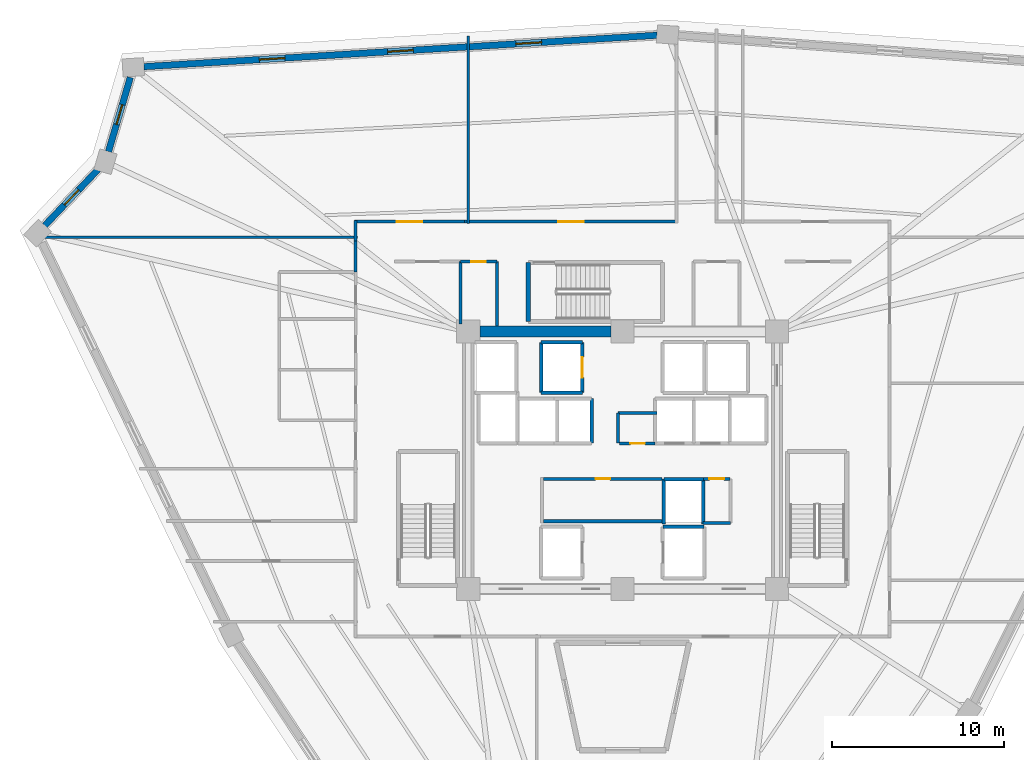
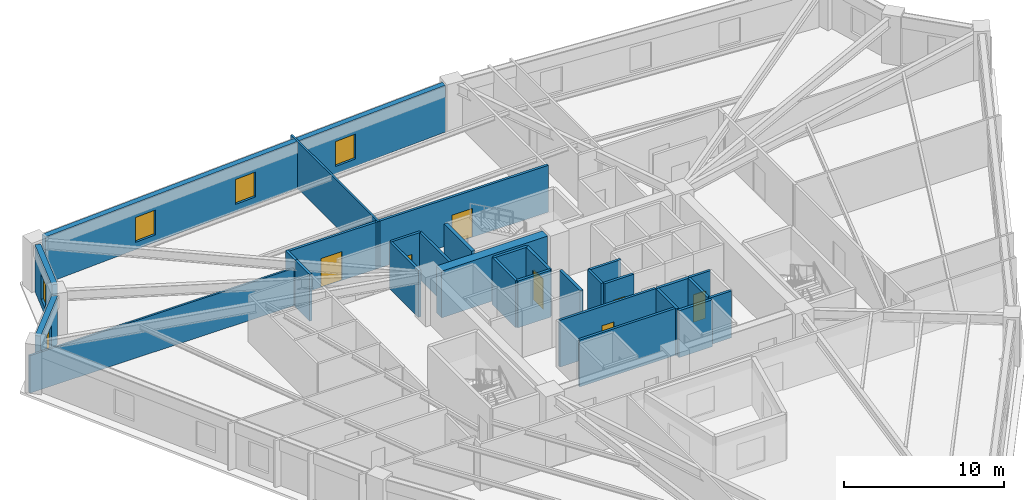
# One storey, part 5 of 10: 30 walls, 7 doors, 5 windows, 12 openings.
"""IFC4 building model written with IfcOpenShell, lengths in metres."""

from ifc_helpers import new_model, si_unit, direction, frame, frame_2d, origin, place, context, subcontext, project, spatial, rectangle, extrude, source, transform, mapped, material, layer, layer_set, type_object, element, fill, save


model = new_model("IFC4")

# Units and contexts
model_context = context("Model", 3, precision=1e-05, world=origin(), true_north=direction((0.0, 1.0)))
body_context = subcontext(model_context, "Body", "Model", "MODEL_VIEW")
ifc_project = project(units=[si_unit("LENGTHUNIT", "METRE"), si_unit("AREAUNIT", "SQUARE_METRE"), si_unit("VOLUMEUNIT", "CUBIC_METRE"), si_unit("PLANEANGLEUNIT", "RADIAN"), si_unit("MASSUNIT", "GRAM", prefix="KILO")], contexts=[model_context])

# Site, building, storey
site_placement = place(None, origin())
site = spatial("IfcSite", under=ifc_project, at=site_placement, CompositionType="ELEMENT")
building_placement = place(site_placement, origin())
building = spatial("IfcBuilding", under=site, at=building_placement, Name="Liaohun Quay Tower", CompositionType="ELEMENT")
storey_placement = place(building_placement, frame((0.0, 0.0, 194.25)))
storey = spatial("IfcBuildingStorey", under=building, at=storey_placement, Name="L50", CompositionType="ELEMENT", Elevation=194.25)

# Wall
ifc_material_1 = material(Name="Concrete C55", Category="concrete")
ifc_layer_1 = layer(ifc_material_1, 0.64990234375, Name="Concrete C55", Category="concrete")
ifc_layer_set_1 = layer_set([ifc_layer_1], Name="Concrete C55")
wall_type_1 = type_object("IfcWallType", Name="WAL-COR-Z3", PredefinedType="SHEAR", material=ifc_layer_set_1)
wall_1_placement = place(storey_placement, frame((51.675048828125, 61.5, 0.0), z_axis=(0.0, 0.0, 1.0), x_axis=(1.0, 0.0, 0.0)))
element("IfcWall", 1, at=wall_1_placement, inside=storey, type_object=wall_type_1, Name="L50 Central Core Shear Wall N-W", PredefinedType="SHEAR", context=body_context, shape_type="SweptSolid", body=[
    extrude(rectangle(XDim=7.64990234375, YDim=0.64990234375, at=frame_2d((3.824951171875, 0.0))), origin(), (0.0, 0.0, 1.0), 3.570068359375),
])

# Wall, openings, windows
ifc_material_2 = material(Name="Precast concrete C50 insulated sandwich", Category="concrete")
ifc_layer_2 = layer(ifc_material_2, 0.3798828125, Name="Precast concrete C50 insulated sandwich", Category="concrete")
ifc_layer_set_2 = layer_set([ifc_layer_2], Name="Precast concrete C50 insulated sandwich")
wall_type_2 = type_object("IfcWallType", Name="WAL-EXT-Z34", PredefinedType="SOLIDWALL", material=ifc_layer_set_2)
wall_2_placement = place(storey_placement, frame((62.006103515625, 78.77392578125, 0.0), z_axis=(0.0, 0.0, 1.0), x_axis=(-0.998134246816, -0.061057557539, 0.0)))
wall_2 = element("IfcWall", 2, at=wall_2_placement, inside=storey, type_object=wall_type_2, Name="L50 Brutalist Precast Pier Wall 07", PredefinedType="SOLIDWALL", context=body_context, shape_type="SweptSolid", body=[
    extrude(rectangle(XDim=29.968994140625, YDim=0.3798828125, at=frame_2d((14.984375, 0.0))), origin(), (0.0, 0.0, 1.0), 3.570068359375),
])
shared_shape_1 = source(origin(), body_context, "Body", "SweptSolid", [
    extrude(rectangle(XDim=1.5, YDim=1.89990234375, at=frame_2d((0.75, 0.949951171875))), frame((0.0, 0.199951171875, 0.0), z_axis=(0.0, -1.0, 0.0), x_axis=(1.0, 0.0, 0.0)), (0.0, 0.0, 1.0), 0.39990234375),
])
opening_1_placement = place(wall_2_placement, frame((6.741943359375, 0.0, 0.550048828125)))
opening_1 = element("IfcOpeningElement", 3, at=opening_1_placement, cuts=wall_2, Name="Opening W03", PredefinedType="OPENING", context=body_context, shape_type="MappedRepresentation", body=[
    mapped(shared_shape_1, transform((0.0, 0.0, 0.0), x_axis=(1.0, 0.0, 0.0), y_axis=(0.0, 1.0, 0.0), z_axis=(0.0, 0.0, 1.0), scale=1.0)),
])
opening_2_placement = place(wall_2_placement, frame((14.23388671875, 0.0, 0.550048828125)))
opening_2 = element("IfcOpeningElement", 4, at=opening_2_placement, cuts=wall_2, Name="Opening W03", PredefinedType="OPENING", context=body_context, shape_type="MappedRepresentation", body=[
    mapped(shared_shape_1, transform((0.0, 0.0, 0.0), x_axis=(1.0, 0.0, 0.0), y_axis=(0.0, 1.0, 0.0), z_axis=(0.0, 0.0, 1.0), scale=1.0)),
])
opening_3_placement = place(wall_2_placement, frame((21.72705078125, 0.0, 0.550048828125)))
opening_3 = element("IfcOpeningElement", 5, at=opening_3_placement, cuts=wall_2, Name="Opening W03", PredefinedType="OPENING", context=body_context, shape_type="MappedRepresentation", body=[
    mapped(shared_shape_1, transform((0.0, 0.0, 0.0), x_axis=(1.0, 0.0, 0.0), y_axis=(0.0, 1.0, 0.0), z_axis=(0.0, 0.0, 1.0), scale=1.0)),
])
ifc_material_3 = material(Name="Triple Low-E argon glazing in thermally broken aluminium", Category="aluminium")
window_type_1 = type_object("IfcWindowType", Name="WIN-PUN-Z3", PartitioningType="DOUBLE_PANEL_VERTICAL", PredefinedType="WINDOW", material=ifc_material_3)
shared_shape_2 = source(origin(), body_context, "Body", "SweptSolid", [
    extrude(rectangle(XDim=1.5, YDim=1.89990234375, at=frame_2d((0.75, 0.949951171875))), frame((0.0, 0.030029296875, 0.0), z_axis=(0.0, -1.0, 0.0), x_axis=(1.0, 0.0, 0.0)), (0.0, 0.0, 1.0), 0.06005859375),
])
window_1_placement = place(opening_1_placement, origin())
window_1 = element("IfcWindow", 6, at=window_1_placement, inside=storey, type_object=window_type_1, Name="L50 Recessed Cold-Climate Punched Window 07-1", OverallHeight=1.89990234375, OverallWidth=1.5, PartitioningType="DOUBLE_PANEL_VERTICAL", PredefinedType="WINDOW", context=body_context, shape_type="MappedRepresentation", body=[
    mapped(shared_shape_2, transform((0.0, 0.0, 0.0), x_axis=(1.0, 0.0, 0.0), y_axis=(0.0, 1.0, 0.0), z_axis=(0.0, 0.0, 1.0), scale=1.0)),
])
fill(opening_1, window_1)
window_2_placement = place(opening_2_placement, origin())
window_2 = element("IfcWindow", 7, at=window_2_placement, inside=storey, type_object=window_type_1, Name="L50 Recessed Cold-Climate Punched Window 07-2", OverallHeight=1.89990234375, OverallWidth=1.5, PartitioningType="DOUBLE_PANEL_VERTICAL", PredefinedType="WINDOW", context=body_context, shape_type="MappedRepresentation", body=[
    mapped(shared_shape_2, transform((0.0, 0.0, 0.0), x_axis=(1.0, 0.0, 0.0), y_axis=(0.0, 1.0, 0.0), z_axis=(0.0, 0.0, 1.0), scale=1.0)),
])
fill(opening_2, window_2)
window_3_placement = place(opening_3_placement, origin())
window_3 = element("IfcWindow", 8, at=window_3_placement, inside=storey, type_object=window_type_1, Name="L50 Recessed Cold-Climate Punched Window 07-3", OverallHeight=1.89990234375, OverallWidth=1.5, PartitioningType="DOUBLE_PANEL_VERTICAL", PredefinedType="WINDOW", context=body_context, shape_type="MappedRepresentation", body=[
    mapped(shared_shape_2, transform((0.0, 0.0, 0.0), x_axis=(1.0, 0.0, 0.0), y_axis=(0.0, 1.0, 0.0), z_axis=(0.0, 0.0, 1.0), scale=1.0)),
])
fill(opening_3, window_3)

# Wall, opening, window
wall_3_placement = place(storey_placement, frame((31.304931640625, 76.31591796875, 0.0), z_axis=(0.0, 0.0, 1.0), x_axis=(-0.282667804741, -0.959217864806, 0.0)))
wall_3 = element("IfcWall", 9, at=wall_3_placement, inside=storey, type_object=wall_type_2, Name="L50 Brutalist Precast Pier Wall 08", PredefinedType="SOLIDWALL", context=body_context, shape_type="SweptSolid", body=[
    extrude(rectangle(XDim=4.5068359375, YDim=0.3798828125, at=frame_2d((2.25341796875, 0.0))), origin(), (0.0, 0.0, 1.0), 3.570068359375),
])
shared_shape_3 = source(origin(), body_context, "Body", "SweptSolid", [
    extrude(rectangle(XDim=1.199951171875, YDim=1.89990234375, at=frame_2d((0.60009765625, 0.949951171875))), frame((0.0, 0.199951171875, 0.0), z_axis=(0.0, -1.0, 0.0), x_axis=(1.0, 0.0, 0.0)), (0.0, 0.0, 1.0), 0.39990234375),
])
opening_4_placement = place(wall_3_placement, frame((1.653076171875, 0.0, 0.550048828125)))
opening_4 = element("IfcOpeningElement", 10, at=opening_4_placement, cuts=wall_3, Name="Opening W05", PredefinedType="OPENING", context=body_context, shape_type="MappedRepresentation", body=[
    mapped(shared_shape_3, transform((0.0, 0.0, 0.0), x_axis=(1.0, 0.0, 0.0), y_axis=(0.0, 1.0, 0.0), z_axis=(0.0, 0.0, 1.0), scale=1.0)),
])
ifc_material_4 = material(Name="Triple Low-E corner notch glazing", Category="glass")
window_type_2 = type_object("IfcWindowType", Name="WIN-NOTCH", PartitioningType="SINGLE_PANEL", PredefinedType="WINDOW", material=ifc_material_4)
shared_shape_4 = source(origin(), body_context, "Body", "SweptSolid", [
    extrude(rectangle(XDim=1.199951171875, YDim=1.89990234375, at=frame_2d((0.60009765625, 0.949951171875))), frame((0.0, 0.030029296875, 0.0), z_axis=(0.0, -1.0, 0.0), x_axis=(1.0, 0.0, 0.0)), (0.0, 0.0, 1.0), 0.06005859375),
])
window_4_placement = place(opening_4_placement, origin())
window_4 = element("IfcWindow", 11, at=window_4_placement, inside=storey, type_object=window_type_2, Name="L50 Corner Notch Window W05-08", OverallHeight=1.89990234375, OverallWidth=1.199951171875, PartitioningType="SINGLE_PANEL", PredefinedType="WINDOW", context=body_context, shape_type="MappedRepresentation", body=[
    mapped(shared_shape_4, transform((0.0, 0.0, 0.0), x_axis=(1.0, 0.0, 0.0), y_axis=(0.0, 1.0, 0.0), z_axis=(0.0, 0.0, 1.0), scale=1.0)),
])
fill(opening_4, window_4)

wall_4_placement = place(storey_placement, frame((29.43310546875, 70.9580078125, 0.0), z_axis=(0.0, 0.0, 1.0), x_axis=(-0.689291978765, -0.724483656137, 0.0)))
wall_4 = element("IfcWall", 12, at=wall_4_placement, inside=storey, type_object=wall_type_2, Name="L50 Brutalist Precast Pier Wall 09", PredefinedType="SOLIDWALL", context=body_context, shape_type="SweptSolid", body=[
    extrude(rectangle(XDim=4.516357421875, YDim=0.3798828125, at=frame_2d((2.25830078125, 0.0))), origin(), (0.0, 0.0, 1.0), 3.570068359375),
])
opening_5_placement = place(wall_4_placement, frame((1.657958984375, 0.0, 0.550048828125)))
opening_5 = element("IfcOpeningElement", 13, at=opening_5_placement, cuts=wall_4, Name="Opening W05", PredefinedType="OPENING", context=body_context, shape_type="MappedRepresentation", body=[
    mapped(shared_shape_3, transform((0.0, 0.0, 0.0), x_axis=(1.0, 0.0, 0.0), y_axis=(0.0, 1.0, 0.0), z_axis=(0.0, 0.0, 1.0), scale=1.0)),
])
window_5_placement = place(opening_5_placement, origin())
window_5 = element("IfcWindow", 14, at=window_5_placement, inside=storey, type_object=window_type_2, Name="L50 Corner Notch Window W05-09", OverallHeight=1.89990234375, OverallWidth=1.199951171875, PartitioningType="SINGLE_PANEL", PredefinedType="WINDOW", context=body_context, shape_type="MappedRepresentation", body=[
    mapped(shared_shape_4, transform((0.0, 0.0, 0.0), x_axis=(1.0, 0.0, 0.0), y_axis=(0.0, 1.0, 0.0), z_axis=(0.0, 0.0, 1.0), scale=1.0)),
])
fill(opening_5, window_5)

# Wall, opening, door
ifc_material_5 = material(Name="Autoclaved aerated concrete blockwork", Category="masonry")
ifc_layer_3 = layer(ifc_material_5, 0.179931640625, Name="Autoclaved aerated concrete blockwork", Category="masonry")
ifc_layer_set_3 = layer_set([ifc_layer_3], Name="Autoclaved aerated concrete blockwork")
wall_type_3 = type_object("IfcWallType", Name="WAL-PRT-COR", PredefinedType="PARTITIONING", material=ifc_layer_set_3)
wall_5_placement = place(storey_placement, frame((55.389892578125, 52.919921875, 0.0), z_axis=(0.0, 0.0, 1.0), x_axis=(1.0, 0.0, 0.0)))
wall_5 = element("IfcWall", 15, at=wall_5_placement, inside=storey, type_object=wall_type_3, Name="L50 Interior Partition Wall 001", PredefinedType="PARTITIONING", context=body_context, shape_type="SweptSolid", body=[
    extrude(rectangle(XDim=6.91015625, YDim=0.179931640625, at=frame_2d((3.455078125, 0.0))), origin(), (0.0, 0.0, 1.0), 3.570068359375),
])
shared_shape_5 = source(origin(), body_context, "Body", "SweptSolid", [
    extrude(rectangle(XDim=0.85009765625, YDim=2.10009765625, at=frame_2d((0.425048828125, 1.050048828125))), frame((0.0, 0.099853515625, 0.0), z_axis=(0.0, -1.0, 0.0), x_axis=(1.0, 0.0, 0.0)), (0.0, 0.0, 1.0), 0.199951171875),
])
opening_6_placement = place(wall_5_placement, frame((3.034912109375, 0.0, 0.0)))
opening_6 = element("IfcOpeningElement", 16, at=opening_6_placement, cuts=wall_5, Name="Opening AD1", PredefinedType="OPENING", context=body_context, shape_type="MappedRepresentation", body=[
    mapped(shared_shape_5, transform((0.0, 0.0, 0.0), x_axis=(1.0, 0.0, 0.0), y_axis=(0.0, 1.0, 0.0), z_axis=(0.0, 0.0, 1.0), scale=1.0)),
])
ifc_material_6 = material(Name="Steel riser inspection fire door", Category="steel")
door_type_1 = type_object("IfcDoorType", Name="DOR-SHF-850", OperationType="NOTDEFINED", PredefinedType="DOOR", material=ifc_material_6)
shared_shape_6 = source(origin(), body_context, "Body", "SweptSolid", [
    extrude(rectangle(XDim=0.85009765625, YDim=2.10009765625, at=frame_2d((0.425048828125, 1.050048828125))), frame((0.0, 0.02490234375, 0.0), z_axis=(0.0, -1.0, 0.0), x_axis=(1.0, 0.0, 0.0)), (0.0, 0.0, 1.0), 0.050048828125),
])
door_1_placement = place(opening_6_placement, origin())
door_1 = element("IfcDoor", 17, at=door_1_placement, inside=storey, type_object=door_type_1, Name="L50 Core Tenant Storage and Archive Room Door", OperationType="SINGLE_SWING_LEFT", OverallHeight=2.10009765625, OverallWidth=0.85009765625, PredefinedType="DOOR", context=body_context, shape_type="MappedRepresentation", body=[
    mapped(shared_shape_6, transform((0.0, 0.0, 0.0), x_axis=(1.0, 0.0, 0.0), y_axis=(0.0, 1.0, 0.0), z_axis=(0.0, 0.0, 1.0), scale=1.0)),
])
fill(opening_6, door_1)

wall_6_placement = place(storey_placement, frame((59.81005859375, 54.97998046875, 0.0), z_axis=(0.0, 0.0, 1.0), x_axis=(1.0, 0.0, 0.0)))
wall_6 = element("IfcWall", 18, at=wall_6_placement, inside=storey, type_object=wall_type_3, Name="L50 Interior Partition Wall 002", PredefinedType="PARTITIONING", context=body_context, shape_type="SweptSolid", body=[
    extrude(rectangle(XDim=2.08984375, YDim=0.179931640625, at=frame_2d((1.044921875, 0.0))), origin(), (0.0, 0.0, 1.0), 3.570068359375),
])
opening_7_placement = place(wall_6_placement, frame((0.635009765625, 0.0, 0.0)))
opening_7 = element("IfcOpeningElement", 19, at=opening_7_placement, cuts=wall_6, Name="Opening AD1", PredefinedType="OPENING", context=body_context, shape_type="MappedRepresentation", body=[
    mapped(shared_shape_5, transform((0.0, 0.0, 0.0), x_axis=(1.0, 0.0, 0.0), y_axis=(0.0, 1.0, 0.0), z_axis=(0.0, 0.0, 1.0), scale=1.0)),
])
door_2_placement = place(opening_7_placement, origin())
door_2 = element("IfcDoor", 20, at=door_2_placement, inside=storey, type_object=door_type_1, Name="L50 Electrical Meter Room Door", OperationType="SINGLE_SWING_RIGHT", OverallHeight=2.10009765625, OverallWidth=0.85009765625, PredefinedType="DOOR", context=body_context, shape_type="MappedRepresentation", body=[
    mapped(shared_shape_6, transform((0.0, 0.0, 0.0), x_axis=(1.0, 0.0, 0.0), y_axis=(0.0, 1.0, 0.0), z_axis=(0.0, 0.0, 1.0), scale=1.0)),
])
fill(opening_7, door_2)

wall_7_placement = place(storey_placement, frame((64.719970703125, 52.919921875, 0.0), z_axis=(0.0, 0.0, 1.0), x_axis=(1.0, 0.0, 0.0)))
wall_7 = element("IfcWall", 21, at=wall_7_placement, inside=storey, type_object=wall_type_3, Name="L50 Interior Partition Wall 003", PredefinedType="PARTITIONING", context=body_context, shape_type="SweptSolid", body=[
    extrude(rectangle(XDim=1.530029296875, YDim=0.179931640625, at=frame_2d((0.76513671875, 0.0))), origin(), (0.0, 0.0, 1.0), 3.570068359375),
])
opening_8_placement = place(wall_7_placement, frame((0.340087890625, 0.0, 0.0)))
opening_8 = element("IfcOpeningElement", 22, at=opening_8_placement, cuts=wall_7, Name="Opening AD1", PredefinedType="OPENING", context=body_context, shape_type="MappedRepresentation", body=[
    mapped(shared_shape_5, transform((0.0, 0.0, 0.0), x_axis=(1.0, 0.0, 0.0), y_axis=(0.0, 1.0, 0.0), z_axis=(0.0, 0.0, 1.0), scale=1.0)),
])
door_3_placement = place(opening_8_placement, origin())
door_3 = element("IfcDoor", 23, at=door_3_placement, inside=storey, type_object=door_type_1, Name="L50 BMS Data Riser Room Door", OperationType="SINGLE_SWING_LEFT", OverallHeight=2.10009765625, OverallWidth=0.85009765625, PredefinedType="DOOR", context=body_context, shape_type="MappedRepresentation", body=[
    mapped(shared_shape_6, transform((0.0, 0.0, 0.0), x_axis=(1.0, 0.0, 0.0), y_axis=(0.0, 1.0, 0.0), z_axis=(0.0, 0.0, 1.0), scale=1.0)),
])
fill(opening_8, door_3)

wall_8_placement = place(storey_placement, frame((50.5400390625, 65.580078125, 0.0), z_axis=(0.0, 0.0, 1.0), x_axis=(1.0, 0.0, 0.0)))
wall_8 = element("IfcWall", 24, at=wall_8_placement, inside=storey, type_object=wall_type_3, Name="L50 Interior Partition Wall 007", PredefinedType="PARTITIONING", context=body_context, shape_type="SweptSolid", body=[
    extrude(rectangle(XDim=2.139892578125, YDim=0.179931640625, at=frame_2d((1.06982421875, 0.0))), origin(), (0.0, 0.0, 1.0), 3.570068359375),
])
opening_9_placement = place(wall_8_placement, frame((0.64501953125, 0.0, 0.0)))
opening_9 = element("IfcOpeningElement", 25, at=opening_9_placement, cuts=wall_8, Name="Opening AD1", PredefinedType="OPENING", context=body_context, shape_type="MappedRepresentation", body=[
    mapped(shared_shape_5, transform((0.0, 0.0, 0.0), x_axis=(1.0, 0.0, 0.0), y_axis=(0.0, 1.0, 0.0), z_axis=(0.0, 0.0, 1.0), scale=1.0)),
])
door_4_placement = place(opening_9_placement, origin())
door_4 = element("IfcDoor", 26, at=door_4_placement, inside=storey, type_object=door_type_1, Name="L50 North-West Supply Store Door", OperationType="SINGLE_SWING_LEFT", OverallHeight=2.10009765625, OverallWidth=0.85009765625, PredefinedType="DOOR", context=body_context, shape_type="MappedRepresentation", body=[
    mapped(shared_shape_6, transform((0.0, 0.0, 0.0), x_axis=(1.0, 0.0, 0.0), y_axis=(0.0, 1.0, 0.0), z_axis=(0.0, 0.0, 1.0), scale=1.0)),
])
fill(opening_9, door_4)

wall_9_placement = place(storey_placement, frame((50.784912109375, 67.909912109375, 0.0), z_axis=(0.0, 0.0, 1.0), x_axis=(1.0, 0.0, 0.0)))
wall_9 = element("IfcWall", 27, at=wall_9_placement, inside=storey, type_object=wall_type_3, Name="L50 Interior Partition Wall 014", PredefinedType="PARTITIONING", context=body_context, shape_type="SweptSolid", body=[
    extrude(rectangle(XDim=12.425048828125, YDim=0.179931640625, at=frame_2d((6.21240234375, 0.0))), origin(), (0.0, 0.0, 1.0), 3.570068359375),
])
shared_shape_7 = source(origin(), body_context, "Body", "SweptSolid", [
    extrude(rectangle(XDim=1.5, YDim=2.199951171875, at=frame_2d((0.75, 1.10009765625))), frame((0.0, 0.099853515625, 0.0), z_axis=(0.0, -1.0, 0.0), x_axis=(1.0, 0.0, 0.0)), (0.0, 0.0, 1.0), 0.199951171875),
])
opening_10_placement = place(wall_9_placement, frame((5.462890625, 0.0, 0.0)))
opening_10 = element("IfcOpeningElement", 28, at=opening_10_placement, cuts=wall_9, Name="Opening OD2", PredefinedType="OPENING", context=body_context, shape_type="MappedRepresentation", body=[
    mapped(shared_shape_7, transform((0.0, 0.0, 0.0), x_axis=(1.0, 0.0, 0.0), y_axis=(0.0, 1.0, 0.0), z_axis=(0.0, 0.0, 1.0), scale=1.0)),
])
ifc_material_7 = material(Name="Acoustic oak veneer double door")
door_type_2 = type_object("IfcDoorType", Name="DOR-OFF-1500", OperationType="DOUBLE_DOOR_SINGLE_SWING", PredefinedType="DOOR", material=ifc_material_7)
shared_shape_8 = source(origin(), body_context, "Body", "SweptSolid", [
    extrude(rectangle(XDim=1.5, YDim=2.199951171875, at=frame_2d((0.75, 1.10009765625))), frame((0.0, 0.02490234375, 0.0), z_axis=(0.0, -1.0, 0.0), x_axis=(1.0, 0.0, 0.0)), (0.0, 0.0, 1.0), 0.050048828125),
])
door_5_placement = place(opening_10_placement, origin())
door_5 = element("IfcDoor", 29, at=door_5_placement, inside=storey, type_object=door_type_2, Name="L50 Project Collaboration Studio 04 Door", OperationType="DOUBLE_DOOR_SINGLE_SWING", OverallHeight=2.199951171875, OverallWidth=1.5, PredefinedType="DOOR", context=body_context, shape_type="MappedRepresentation", body=[
    mapped(shared_shape_8, transform((0.0, 0.0, 0.0), x_axis=(1.0, 0.0, 0.0), y_axis=(0.0, 1.0, 0.0), z_axis=(0.0, 0.0, 1.0), scale=1.0)),
])
fill(opening_10, door_5)

wall_10_placement = place(storey_placement, frame((44.3701171875, 67.909912109375, 0.0), z_axis=(0.0, 0.0, 1.0), x_axis=(1.0, 0.0, 0.0)))
wall_10 = element("IfcWall", 30, at=wall_10_placement, inside=storey, type_object=wall_type_3, Name="L50 Interior Partition Wall 015", PredefinedType="PARTITIONING", context=body_context, shape_type="SweptSolid", body=[
    extrude(rectangle(XDim=6.414794921875, YDim=0.179931640625, at=frame_2d((3.20751953125, 0.0))), origin(), (0.0, 0.0, 1.0), 3.570068359375),
])
opening_11_placement = place(wall_10_placement, frame((2.45703125, 0.0, 0.0)))
opening_11 = element("IfcOpeningElement", 31, at=opening_11_placement, cuts=wall_10, Name="Opening OD2", PredefinedType="OPENING", context=body_context, shape_type="MappedRepresentation", body=[
    mapped(shared_shape_7, transform((0.0, 0.0, 0.0), x_axis=(1.0, 0.0, 0.0), y_axis=(0.0, 1.0, 0.0), z_axis=(0.0, 0.0, 1.0), scale=1.0)),
])
door_6_placement = place(opening_11_placement, origin())
door_6 = element("IfcDoor", 32, at=door_6_placement, inside=storey, type_object=door_type_2, Name="L50 Engineering Model Workshop 05 Door", OperationType="DOUBLE_DOOR_SINGLE_SWING", OverallHeight=2.199951171875, OverallWidth=1.5, PredefinedType="DOOR", context=body_context, shape_type="MappedRepresentation", body=[
    mapped(shared_shape_8, transform((0.0, 0.0, 0.0), x_axis=(1.0, 0.0, 0.0), y_axis=(0.0, 1.0, 0.0), z_axis=(0.0, 0.0, 1.0), scale=1.0)),
])
fill(opening_11, door_6)

# Walls
wall_11_placement = place(storey_placement, frame((59.719970703125, 55.02001953125, 0.0), z_axis=(0.0, 0.0, 1.0), x_axis=(0.0, 1.0, 0.0)))
element("IfcWall", 33, at=wall_11_placement, inside=storey, type_object=wall_type_3, Name="L50 Interior Partition Wall 023", PredefinedType="PARTITIONING", context=body_context, shape_type="SweptSolid", body=[
    extrude(rectangle(XDim=1.72998046875, YDim=0.179931640625, at=frame_2d((0.864990234375, 0.0))), origin(), (0.0, 0.0, 1.0), 3.570068359375),
])
wall_12_placement = place(storey_placement, frame((59.719970703125, 56.75, 0.0), z_axis=(0.0, 0.0, 1.0), x_axis=(1.0, 0.0, 0.0)))
element("IfcWall", 34, at=wall_12_placement, inside=storey, type_object=wall_type_3, Name="L50 Interior Partition Wall 024", PredefinedType="PARTITIONING", context=body_context, shape_type="SweptSolid", body=[
    extrude(rectangle(XDim=2.2900390625, YDim=0.179931640625, at=frame_2d((1.14501953125, 0.0))), origin(), (0.0, 0.0, 1.0), 3.570068359375),
])
wall_13_placement = place(storey_placement, frame((64.68994140625, 50.35009765625, 0.0), z_axis=(0.0, 0.0, 1.0), x_axis=(1.0, 0.0, 0.0)))
element("IfcWall", 35, at=wall_13_placement, inside=storey, type_object=wall_type_3, Name="L50 Interior Partition Wall 025", PredefinedType="PARTITIONING", context=body_context, shape_type="SweptSolid", body=[
    extrude(rectangle(XDim=1.590087890625, YDim=0.179931640625, at=frame_2d((0.794921875, 0.0))), origin(), (0.0, 0.0, 1.0), 3.570068359375),
])
wall_14_placement = place(storey_placement, frame((50.5400390625, 61.949951171875, 0.0), z_axis=(0.0, 0.0, 1.0), x_axis=(0.0, 1.0, 0.0)))
element("IfcWall", 36, at=wall_14_placement, inside=storey, type_object=wall_type_3, Name="L50 Interior Partition Wall 032", PredefinedType="PARTITIONING", context=body_context, shape_type="SweptSolid", body=[
    extrude(rectangle(XDim=3.630126953125, YDim=0.179931640625, at=frame_2d((1.81494140625, 0.0))), origin(), (0.0, 0.0, 1.0), 3.570068359375),
])
wall_15_placement = place(storey_placement, frame((52.679931640625, 61.824951171875, 0.0), z_axis=(0.0, 0.0, 1.0), x_axis=(0.0, 1.0, 0.0)))
element("IfcWall", 37, at=wall_15_placement, inside=storey, type_object=wall_type_3, Name="L50 Interior Partition Wall 033", PredefinedType="PARTITIONING", context=body_context, shape_type="SweptSolid", body=[
    extrude(rectangle(XDim=3.755126953125, YDim=0.179931640625, at=frame_2d((1.87744140625, 0.0))), origin(), (0.0, 0.0, 1.0), 3.570068359375),
])
wall_16_placement = place(storey_placement, frame((44.43994140625, 66.784912109375, 0.0), z_axis=(0.0, 0.0, 1.0), x_axis=(0.0, 1.0, 0.0)))
element("IfcWall", 38, at=wall_16_placement, inside=storey, type_object=wall_type_3, Name="L50 Interior Partition Wall 039", PredefinedType="PARTITIONING", context=body_context, shape_type="SweptSolid", body=[
    extrude(rectangle(XDim=1.195068359375, YDim=0.179931640625, at=frame_2d((0.59765625, 0.0))), origin(), (0.0, 0.0, 1.0), 3.570068359375),
])
wall_17_placement = place(storey_placement, frame((44.43994140625, 64.97998046875, 0.0), z_axis=(0.0, 0.0, 1.0), x_axis=(0.0, 1.0, 0.0)))
element("IfcWall", 39, at=wall_17_placement, inside=storey, type_object=wall_type_3, Name="L50 Interior Partition Wall 040", PredefinedType="PARTITIONING", context=body_context, shape_type="SweptSolid", body=[
    extrude(rectangle(XDim=1.804931640625, YDim=0.179931640625, at=frame_2d((0.90234375, 0.0))), origin(), (0.0, 0.0, 1.0), 3.570068359375),
])
wall_18_placement = place(storey_placement, frame((55.389892578125, 50.449951171875, 0.0), z_axis=(0.0, 0.0, 1.0), x_axis=(1.0, 0.0, 0.0)))
element("IfcWall", 40, at=wall_18_placement, inside=storey, type_object=wall_type_3, Name="L50 Interior Partition Wall 056", PredefinedType="PARTITIONING", context=body_context, shape_type="SweptSolid", body=[
    extrude(rectangle(XDim=6.91015625, YDim=0.179931640625, at=frame_2d((3.455078125, 0.0))), origin(), (0.0, 0.0, 1.0), 3.570068359375),
])
ifc_material_8 = material(Name="Gypsum board on twin steel studs", Category="steel")
ifc_layer_4 = layer(ifc_material_8, 0.139892578125, Name="Gypsum board on twin steel studs", Category="steel")
ifc_layer_set_4 = layer_set([ifc_layer_4], Name="Gypsum board on twin steel studs")
wall_type_4 = type_object("IfcWallType", Name="WAL-PRT-OFF", PredefinedType="PARTITIONING", material=ifc_layer_set_4)
wall_19_placement = place(storey_placement, frame((44.5400390625, 67.0, 0.0), z_axis=(0.0, 0.0, 1.0), x_axis=(-1.0, 0.0, 0.0)))
element("IfcWall", 41, at=wall_19_placement, inside=storey, type_object=wall_type_4, Name="L50 Interior Partition Wall 047", PredefinedType="PARTITIONING", context=body_context, shape_type="SweptSolid", body=[
    extrude(rectangle(XDim=19.22705078125, YDim=0.139892578125, at=frame_2d((9.613525390625, 0.0))), origin(), (0.0, 0.0, 1.0), 2.85498046875),
])
wall_20_placement = place(storey_placement, frame((51.0, 67.81005859375, 0.0), z_axis=(0.0, 0.0, 1.0), x_axis=(0.0, 1.0, 0.0)))
element("IfcWall", 42, at=wall_20_placement, inside=storey, type_object=wall_type_4, Name="L50 Interior Partition Wall 052", PredefinedType="PARTITIONING", context=body_context, shape_type="SweptSolid", body=[
    extrude(rectangle(XDim=10.921875, YDim=0.139892578125, at=frame_2d((5.4609375, 0.0))), origin(), (0.0, 0.0, 1.0), 3.570068359375),
])
ifc_material_9 = material(Name="Concrete C50", Category="concrete")
ifc_layer_5 = layer(ifc_material_9, 0.239990234375, Name="Concrete C50", Category="concrete")
ifc_layer_set_5 = layer_set([ifc_layer_5], Name="Concrete C50")
wall_type_5 = type_object("IfcWallType", Name="WAL-SHF-200", PredefinedType="SOLIDWALL", material=ifc_layer_set_5)
wall_21_placement = place(storey_placement, frame((54.5, 65.5400390625, 0.0), z_axis=(0.0, 0.0, 1.0), x_axis=(0.0, -1.0, 0.0)))
element("IfcWall", 43, at=wall_21_placement, inside=storey, type_object=wall_type_5, Name="L50 Stairwell ST-3 Structural Core Wall W", PredefinedType="SOLIDWALL", context=body_context, shape_type="SweptSolid", body=[
    extrude(rectangle(XDim=3.43994140625, YDim=0.239990234375, at=frame_2d((1.719970703125, 0.0))), origin(), (0.0, 0.0, 1.0), 3.570068359375),
])
for number, where, z_axis, x_axis, name in (
    (44, (64.75, 50.1201171875, 0.0), (0.0, 0.0, 1.0), (-1.0, 0.0, 0.0), "L50 Lift FF-02 Hoistway Wall N"),
    (45, (55.25, 57.949951171875, 0.0), (0.0, 0.0, 1.0), (1.0, 0.0, 0.0), "L50 Lift FF-03 Hoistway Wall S"),
):
    element("IfcWall", number, at=place(storey_placement, frame(where, z_axis=z_axis, x_axis=x_axis)), inside=storey, type_object=wall_type_5, Name=name, PredefinedType="SOLIDWALL", context=body_context, shape_type="SweptSolid", body=[
        extrude(rectangle(XDim=2.39990234375, YDim=0.199951171875, at=frame_2d((1.199951171875, 0.0))), origin(), (0.0, 0.0, 1.0), 3.570068359375),
    ])

# Wall, opening, door
wall_22_placement = place(storey_placement, frame((57.64990234375, 57.949951171875, 0.0), z_axis=(0.0, 0.0, 1.0), x_axis=(0.0, 1.0, 0.0)))
wall_22 = element("IfcWall", 46, at=wall_22_placement, inside=storey, type_object=wall_type_5, Name="L50 Lift FF-03 Hoistway Wall E", PredefinedType="SOLIDWALL", context=body_context, shape_type="SweptSolid", body=[
    extrude(rectangle(XDim=2.929931640625, YDim=0.199951171875, at=frame_2d((1.46484375, 0.0))), origin(), (0.0, 0.0, 1.0), 3.570068359375),
])
shared_shape_9 = source(origin(), body_context, "Body", "SweptSolid", [
    extrude(rectangle(XDim=1.199951171875, YDim=2.300048828125, at=frame_2d((0.60009765625, 1.14990234375))), frame((0.0, 0.10986328125, 0.0), z_axis=(0.0, -1.0, 0.0), x_axis=(1.0, 0.0, 0.0)), (0.0, 0.0, 1.0), 0.219970703125),
])
opening_12_placement = place(wall_22_placement, frame((0.864990234375, 0.0, 0.0)))
opening_12 = element("IfcOpeningElement", 47, at=opening_12_placement, cuts=wall_22, Name="Opening LD2", PredefinedType="OPENING", context=body_context, shape_type="MappedRepresentation", body=[
    mapped(shared_shape_9, transform((0.0, 0.0, 0.0), x_axis=(1.0, 0.0, 0.0), y_axis=(0.0, 1.0, 0.0), z_axis=(0.0, 0.0, 1.0), scale=1.0)),
])
ifc_material_10 = material(Name="Brushed stainless steel stretcher landing door", Category="steel")
door_type_3 = type_object("IfcDoorType", Name="DOR-LFT-1200", OperationType="SLIDING_TO_LEFT", PredefinedType="DOOR", material=ifc_material_10)
shared_shape_10 = source(origin(), body_context, "Body", "SweptSolid", [
    extrude(rectangle(XDim=1.199951171875, YDim=2.300048828125, at=frame_2d((0.60009765625, 1.14990234375))), frame((0.0, 0.02490234375, 0.0), z_axis=(0.0, -1.0, 0.0), x_axis=(1.0, 0.0, 0.0)), (0.0, 0.0, 1.0), 0.050048828125),
])
door_7_placement = place(opening_12_placement, origin())
door_7 = element("IfcDoor", 48, at=door_7_placement, inside=storey, type_object=door_type_3, Name="L50 Lift FF-03 Sliding Landing Door", OperationType="SLIDING_TO_LEFT", OverallHeight=2.300048828125, OverallWidth=1.199951171875, PredefinedType="DOOR", context=body_context, shape_type="MappedRepresentation", body=[
    mapped(shared_shape_10, transform((0.0, 0.0, 0.0), x_axis=(1.0, 0.0, 0.0), y_axis=(0.0, 1.0, 0.0), z_axis=(0.0, 0.0, 1.0), scale=1.0)),
])
fill(opening_12, door_7)

# Walls
wall_23_placement = place(storey_placement, frame((57.64990234375, 60.8798828125, 0.0), z_axis=(0.0, 0.0, 1.0), x_axis=(-1.0, 0.0, 0.0)))
element("IfcWall", 49, at=wall_23_placement, inside=storey, type_object=wall_type_5, Name="L50 Lift FF-03 Hoistway Wall N", PredefinedType="SOLIDWALL", context=body_context, shape_type="SweptSolid", body=[
    extrude(rectangle(XDim=2.39990234375, YDim=0.199951171875, at=frame_2d((1.199951171875, 0.0))), origin(), (0.0, 0.0, 1.0), 3.570068359375),
])
wall_24_placement = place(storey_placement, frame((55.25, 60.8798828125, 0.0), z_axis=(0.0, 0.0, 1.0), x_axis=(0.0, -1.0, 0.0)))
element("IfcWall", 50, at=wall_24_placement, inside=storey, type_object=wall_type_5, Name="L50 Lift FF-03 Hoistway Wall W", PredefinedType="SOLIDWALL", context=body_context, shape_type="SweptSolid", body=[
    extrude(rectangle(XDim=2.929931640625, YDim=0.199951171875, at=frame_2d((1.46484375, 0.0))), origin(), (0.0, 0.0, 1.0), 3.570068359375),
])
wall_25_placement = place(storey_placement, frame((64.699951171875, 50.300048828125, 0.0), z_axis=(0.0, 0.0, 1.0), x_axis=(0.0, 1.0, 0.0)))
element("IfcWall", 51, at=wall_25_placement, inside=storey, type_object=wall_type_5, Name="L50 Lift PL-2A Hoistway Wall E", PredefinedType="SOLIDWALL", context=body_context, shape_type="SweptSolid", body=[
    extrude(rectangle(XDim=2.599853515625, YDim=0.199951171875, at=frame_2d((1.2998046875, 0.0))), origin(), (0.0, 0.0, 1.0), 3.570068359375),
])
wall_26_placement = place(storey_placement, frame((64.699951171875, 52.89990234375, 0.0), z_axis=(0.0, 0.0, 1.0), x_axis=(-1.0, 0.0, 0.0)))
element("IfcWall", 52, at=wall_26_placement, inside=storey, type_object=wall_type_5, Name="L50 Lift PL-2A Hoistway Wall N", PredefinedType="SOLIDWALL", context=body_context, shape_type="SweptSolid", body=[
    extrude(rectangle(XDim=2.300048828125, YDim=0.199951171875, at=frame_2d((1.14990234375, 0.0))), origin(), (0.0, 0.0, 1.0), 3.570068359375),
])
wall_27_placement = place(storey_placement, frame((62.39990234375, 52.89990234375, 0.0), z_axis=(0.0, 0.0, 1.0), x_axis=(0.0, -1.0, 0.0)))
element("IfcWall", 53, at=wall_27_placement, inside=storey, type_object=wall_type_5, Name="L50 Lift PL-2A Hoistway Wall W", PredefinedType="SOLIDWALL", context=body_context, shape_type="SweptSolid", body=[
    extrude(rectangle(XDim=2.599853515625, YDim=0.199951171875, at=frame_2d((1.2998046875, 0.0))), origin(), (0.0, 0.0, 1.0), 3.570068359375),
])
wall_28_placement = place(storey_placement, frame((58.199951171875, 55.0, 0.0), z_axis=(0.0, 0.0, 1.0), x_axis=(0.0, 1.0, 0.0)))
element("IfcWall", 54, at=wall_28_placement, inside=storey, type_object=wall_type_5, Name="L50 Lift PL-2C Hoistway Wall E", PredefinedType="SOLIDWALL", context=body_context, shape_type="SweptSolid", body=[
    extrude(rectangle(XDim=2.60009765625, YDim=0.199951171875, at=frame_2d((1.300048828125, 0.0))), origin(), (0.0, 0.0, 1.0), 3.570068359375),
])

save(model, "model.ifc")
